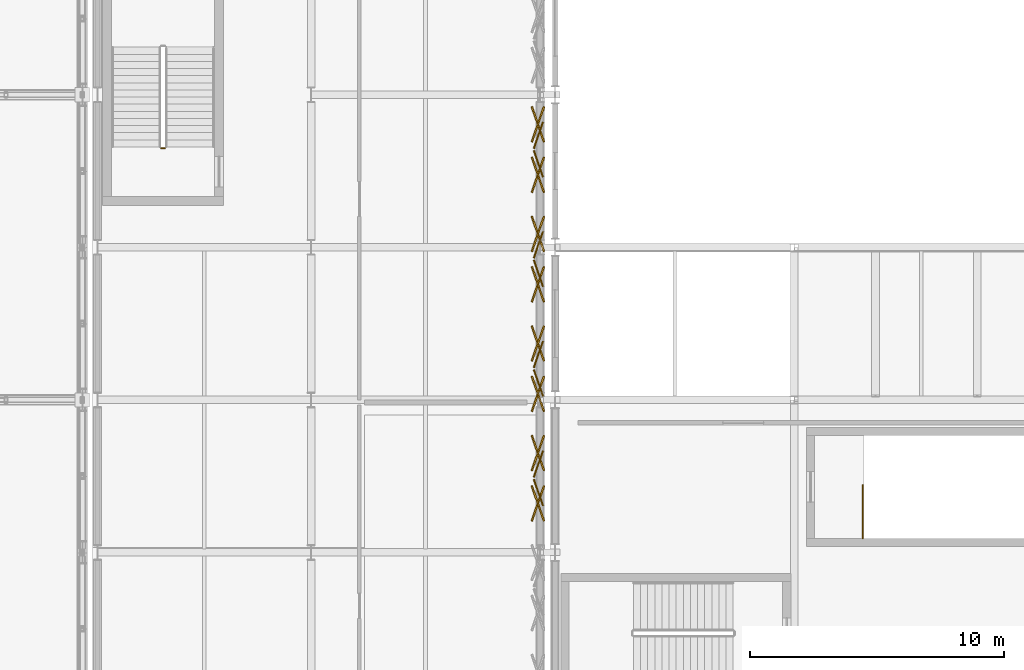
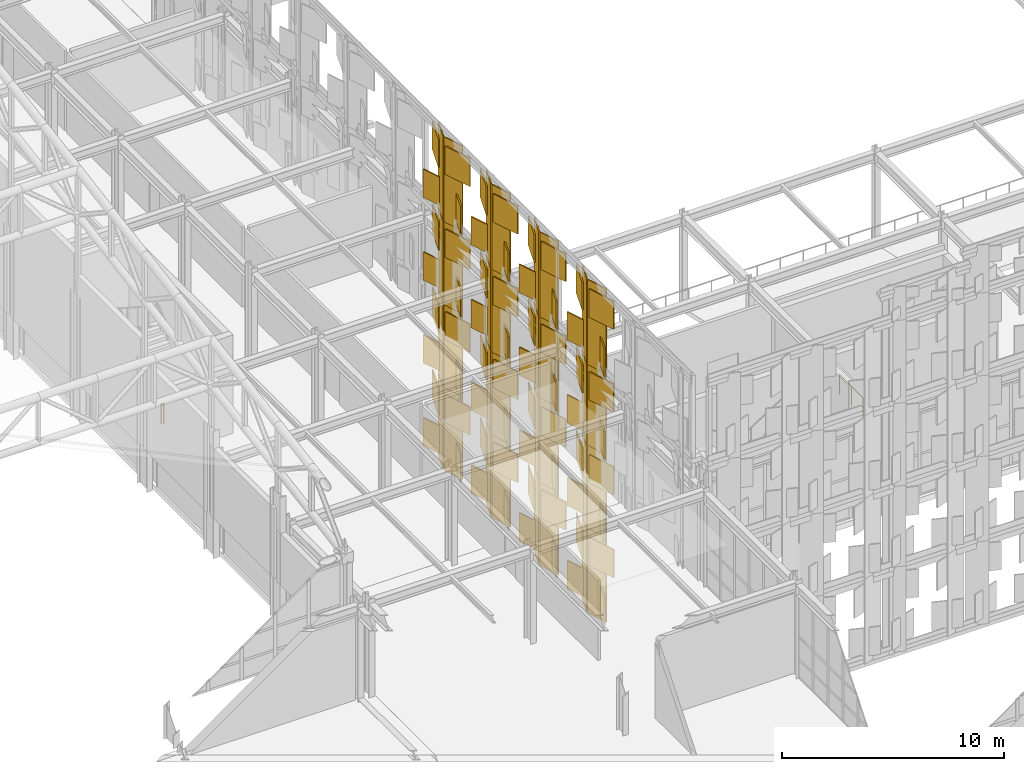
# One storey, part 230 of 239: 96 coverings, 2 railings.
"""IFC4 building model written with IfcOpenShell, lengths in metres."""

from ifc_helpers import new_model, si_unit, direction, frame, origin, origin_2d, place, context, subcontext, project, spatial, rectangle, circle, extrude, material, layer, layer_set, type_object, element, save


model = new_model("IFC4")

# Units and contexts
model_context = context("Model", 3, precision=1e-05, world=origin(), true_north=direction((0.0, 1.0)))
body_context = subcontext(model_context, "Body", "Model", "MODEL_VIEW")
ifc_project = project(units=[si_unit("LENGTHUNIT", "METRE"), si_unit("AREAUNIT", "SQUARE_METRE"), si_unit("VOLUMEUNIT", "CUBIC_METRE"), si_unit("PLANEANGLEUNIT", "RADIAN"), si_unit("MASSUNIT", "GRAM", prefix="KILO")], contexts=[model_context])

# Site, building, storey
site_placement = place(None, origin())
site = spatial("IfcSite", under=ifc_project, at=site_placement, CompositionType="ELEMENT")
building_placement = place(site_placement, origin())
building = spatial("IfcBuilding", under=site, at=building_placement, Name="Kaldris Quays Convention Centre", CompositionType="ELEMENT")
storey_placement = place(building_placement, frame((0.0, 0.0, 11.39990234375)))
storey = spatial("IfcBuildingStorey", under=building, at=storey_placement, Name="L02", CompositionType="ELEMENT", Elevation=11.39990234375)

# Railings
ifc_material_1 = material(Name="Steel S355J2", Category="steel")
railing_type = type_object("IfcRailingType", Name="INTERIOR GUARDRAIL GR01", PredefinedType="GUARDRAIL", material=ifc_material_1)
railing_1_placement = place(storey_placement, frame((176.699951171875, 62.550048828125, 0.0)))
element("IfcRailing", 1, at=railing_1_placement, inside=storey, type_object=railing_type, Name="L02 ST10 Top Well Guardrail 1", PredefinedType="GUARDRAIL", context=body_context, shape_type="SweptSolid", body=[
    extrude(circle(Radius=0.02392578125, at=origin_2d()), frame((0.0, 0.0, 1.076171875), z_axis=(0.0, 1.0, 0.0), x_axis=(-1.0, 0.0, 0.0)), (0.0, 0.0, 1.0), 2.099853515625),
    extrude(circle(Radius=0.02099609375, at=origin_2d()), origin(), (0.0, 0.0, 1.0), 1.052001953125),
    extrude(circle(Radius=0.02099609375, at=origin_2d()), frame((0.0, 1.0498046875, 0.0)), (0.0, 0.0, 1.0), 1.052001953125),
    extrude(circle(Radius=0.02099609375, at=origin_2d()), frame((0.0, 2.099853515625, 0.0)), (0.0, 0.0, 1.0), 1.052001953125),
])
railing_2_placement = place(storey_placement, frame((149.25, 77.89990234375, 0.0)))
element("IfcRailing", 2, at=railing_2_placement, inside=storey, type_object=railing_type, Name="L02 ST14 Stair Guardrail 4", PredefinedType="GUARDRAIL", context=body_context, shape_type="SweptSolid", body=[
    extrude(circle(Radius=0.02392578125, at=origin_2d()), frame((0.0, 0.0, 1.076171875), z_axis=(-1.0, 0.0, 0.0), x_axis=(0.0, -1.0, 0.0)), (0.0, 0.0, 1.0), 0.14990234375),
    extrude(circle(Radius=0.02099609375, at=origin_2d()), origin(), (0.0, 0.0, 1.0), 1.052001953125),
    extrude(circle(Radius=0.02099609375, at=origin_2d()), frame((-0.14990234375, 0.0, 0.0)), (0.0, 0.0, 1.0), 1.052001953125),
])

# Coverings
ifc_material_2 = material(Name="Alabaster white star-pierced anodized aluminium panel", Category="aluminium")
ifc_layer = layer(ifc_material_2, 0.044921875)
ifc_layer_set = layer_set([ifc_layer], Name="Alabaster white star-pierced anodized aluminium panel")
covering_type = type_object("IfcCoveringType", Name="STAR PIERCED WHITE FOLDED SCREEN CL01", PredefinedType="CLADDING", material=ifc_layer_set)
covering_1_placement = place(storey_placement, frame((163.93994140625, 64.35791015625, -7.60986328125), z_axis=(0.0, 0.0, 1.0), x_axis=(-0.325568154457, 0.945518575599, 0.0)))
element("IfcCovering", 3, at=covering_1_placement, inside=storey, type_object=covering_type, Name="V2W Folded White Screen Stile 2166", PredefinedType="CLADDING", context=body_context, shape_type="SweptSolid", body=[
    extrude(rectangle(XDim=1.093994140625, YDim=0.054931640625, at=origin_2d()), origin(), (0.0, 0.0, 1.0), 4.669921875),
])
for number, where, z_axis, x_axis, name in (
    (4, (163.919921875, 63.927001953125, -7.27685546875), (0.0, 0.0, 1.0), (0.325568154457, 0.945518575599, 0.0), "V2W Carved Star Corner Facet 2169"),
    (5, (163.919921875, 63.927001953125, -4.81982421875), (0.0, 0.0, 1.0), (-0.325568154457, 0.945518575599, 0.0), "V2W Carved Star Corner Facet 2170"),
):
    element("IfcCovering", number, at=place(storey_placement, frame(where, z_axis=z_axis, x_axis=x_axis)), inside=storey, type_object=covering_type, Name=name, PredefinedType="CLADDING", context=body_context, shape_type="SweptSolid", body=[
        extrude(rectangle(XDim=1.465087890625, YDim=0.06494140625, at=origin_2d()), origin(), (0.0, 0.0, 1.0), 1.547119140625),
    ])
covering_2_placement = place(storey_placement, frame((163.93994140625, 64.35791015625, -3.059814453125), z_axis=(0.0, 0.0, 1.0), x_axis=(-0.325568154457, 0.945518575599, 0.0)))
element("IfcCovering", 6, at=covering_2_placement, inside=storey, type_object=covering_type, Name="V2W Folded White Screen Stile 2172", PredefinedType="CLADDING", context=body_context, shape_type="SweptSolid", body=[
    extrude(rectangle(XDim=1.093994140625, YDim=0.054931640625, at=origin_2d()), origin(), (0.0, 0.0, 1.0), 4.669921875),
])
for number, where, z_axis, x_axis, name in (
    (7, (163.919921875, 63.927001953125, -2.72705078125), (0.0, 0.0, 1.0), (0.325568154457, 0.945518575599, 0.0), "V2W Carved Star Corner Facet 2175"),
    (8, (163.919921875, 63.927001953125, -0.27001953125), (0.0, 0.0, 1.0), (-0.325568154457, 0.945518575599, 0.0), "V2W Carved Star Corner Facet 2176"),
):
    element("IfcCovering", number, at=place(storey_placement, frame(where, z_axis=z_axis, x_axis=x_axis)), inside=storey, type_object=covering_type, Name=name, PredefinedType="CLADDING", context=body_context, shape_type="SweptSolid", body=[
        extrude(rectangle(XDim=1.465087890625, YDim=0.06494140625, at=origin_2d()), origin(), (0.0, 0.0, 1.0), 1.547119140625),
    ])
covering_3_placement = place(storey_placement, frame((163.93994140625, 64.35791015625, 1.490234375), z_axis=(0.0, 0.0, 1.0), x_axis=(-0.325568154457, 0.945518575599, 0.0)))
element("IfcCovering", 9, at=covering_3_placement, inside=storey, type_object=covering_type, Name="V2W Folded White Screen Stile 2178", PredefinedType="CLADDING", context=body_context, shape_type="SweptSolid", body=[
    extrude(rectangle(XDim=1.093994140625, YDim=0.054931640625, at=origin_2d()), origin(), (0.0, 0.0, 1.0), 4.669921875),
])
for number, where, z_axis, x_axis, name in (
    (10, (163.919921875, 63.927001953125, 1.8232421875), (0.0, 0.0, 1.0), (0.325568154457, 0.945518575599, 0.0), "V2W Carved Star Corner Facet 2181"),
    (11, (163.919921875, 63.927001953125, 4.2802734375), (0.0, 0.0, 1.0), (-0.325568154457, 0.945518575599, 0.0), "V2W Carved Star Corner Facet 2182"),
):
    element("IfcCovering", number, at=place(storey_placement, frame(where, z_axis=z_axis, x_axis=x_axis)), inside=storey, type_object=covering_type, Name=name, PredefinedType="CLADDING", context=body_context, shape_type="SweptSolid", body=[
        extrude(rectangle(XDim=1.465087890625, YDim=0.06494140625, at=origin_2d()), origin(), (0.0, 0.0, 1.0), 1.547119140625),
    ])
covering_4_placement = place(storey_placement, frame((163.93994140625, 64.35791015625, 6.0400390625), z_axis=(0.0, 0.0, 1.0), x_axis=(-0.325568154457, 0.945518575599, 0.0)))
element("IfcCovering", 12, at=covering_4_placement, inside=storey, type_object=covering_type, Name="V2W Folded White Screen Stile 2184", PredefinedType="CLADDING", context=body_context, shape_type="SweptSolid", body=[
    extrude(rectangle(XDim=1.093994140625, YDim=0.054931640625, at=origin_2d()), origin(), (0.0, 0.0, 1.0), 4.669921875),
])
for number, where, z_axis, x_axis, name in (
    (13, (163.919921875, 63.927001953125, 6.373046875), (0.0, 0.0, 1.0), (0.325568154457, 0.945518575599, 0.0), "V2W Carved Star Corner Facet 2187"),
    (14, (163.919921875, 63.927001953125, 8.830078125), (0.0, 0.0, 1.0), (-0.325568154457, 0.945518575599, 0.0), "V2W Carved Star Corner Facet 2188"),
):
    element("IfcCovering", number, at=place(storey_placement, frame(where, z_axis=z_axis, x_axis=x_axis)), inside=storey, type_object=covering_type, Name=name, PredefinedType="CLADDING", context=body_context, shape_type="SweptSolid", body=[
        extrude(rectangle(XDim=1.465087890625, YDim=0.06494140625, at=origin_2d()), origin(), (0.0, 0.0, 1.0), 1.547119140625),
    ])
for number, where, z_axis, x_axis, name in (
    (15, (163.93994140625, 65.478515625, -7.60986328125), (0.0, 0.0, 1.0), (0.325568154457, 0.945518575599, 0.0), "V2W Folded White Screen Stile 2189"),
    (16, (163.93994140625, 68.6669921875, -7.60986328125), (0.0, 0.0, 1.0), (-0.325568154457, 0.945518575599, 0.0), "V2W Folded White Screen Stile 2190"),
):
    element("IfcCovering", number, at=place(storey_placement, frame(where, z_axis=z_axis, x_axis=x_axis)), inside=storey, type_object=covering_type, Name=name, PredefinedType="CLADDING", context=body_context, shape_type="SweptSolid", body=[
        extrude(rectangle(XDim=1.093994140625, YDim=0.054931640625, at=origin_2d()), origin(), (0.0, 0.0, 1.0), 4.669921875),
    ])
for number, where, z_axis, x_axis, name in (
    (17, (163.919921875, 65.9091796875, -7.27685546875), (0.0, 0.0, 1.0), (-0.325568154457, 0.945518575599, 0.0), "V2W Carved Star Corner Facet 2191"),
    (18, (163.919921875, 65.9091796875, -4.81982421875), (0.0, 0.0, 1.0), (0.325568154457, 0.945518575599, 0.0), "V2W Carved Star Corner Facet 2192"),
    (19, (163.919921875, 68.236083984375, -7.27685546875), (0.0, 0.0, 1.0), (0.325568154457, 0.945518575599, 0.0), "V2W Carved Star Corner Facet 2193"),
    (20, (163.919921875, 68.236083984375, -4.81982421875), (0.0, 0.0, 1.0), (-0.325568154457, 0.945518575599, 0.0), "V2W Carved Star Corner Facet 2194"),
):
    element("IfcCovering", number, at=place(storey_placement, frame(where, z_axis=z_axis, x_axis=x_axis)), inside=storey, type_object=covering_type, Name=name, PredefinedType="CLADDING", context=body_context, shape_type="SweptSolid", body=[
        extrude(rectangle(XDim=1.465087890625, YDim=0.06494140625, at=origin_2d()), origin(), (0.0, 0.0, 1.0), 1.547119140625),
    ])
for number, where, z_axis, x_axis, name in (
    (21, (163.93994140625, 65.478515625, -3.059814453125), (0.0, 0.0, 1.0), (0.325568154457, 0.945518575599, 0.0), "V2W Folded White Screen Stile 2195"),
    (22, (163.93994140625, 68.6669921875, -3.059814453125), (0.0, 0.0, 1.0), (-0.325568154457, 0.945518575599, 0.0), "V2W Folded White Screen Stile 2196"),
):
    element("IfcCovering", number, at=place(storey_placement, frame(where, z_axis=z_axis, x_axis=x_axis)), inside=storey, type_object=covering_type, Name=name, PredefinedType="CLADDING", context=body_context, shape_type="SweptSolid", body=[
        extrude(rectangle(XDim=1.093994140625, YDim=0.054931640625, at=origin_2d()), origin(), (0.0, 0.0, 1.0), 4.669921875),
    ])
for number, where, z_axis, x_axis, name in (
    (23, (163.919921875, 65.9091796875, -2.72705078125), (0.0, 0.0, 1.0), (-0.325568154457, 0.945518575599, 0.0), "V2W Carved Star Corner Facet 2197"),
    (24, (163.919921875, 65.9091796875, -0.27001953125), (0.0, 0.0, 1.0), (0.325568154457, 0.945518575599, 0.0), "V2W Carved Star Corner Facet 2198"),
    (25, (163.919921875, 68.236083984375, -2.72705078125), (0.0, 0.0, 1.0), (0.325568154457, 0.945518575599, 0.0), "V2W Carved Star Corner Facet 2199"),
    (26, (163.919921875, 68.236083984375, -0.27001953125), (0.0, 0.0, 1.0), (-0.325568154457, 0.945518575599, 0.0), "V2W Carved Star Corner Facet 2200"),
):
    element("IfcCovering", number, at=place(storey_placement, frame(where, z_axis=z_axis, x_axis=x_axis)), inside=storey, type_object=covering_type, Name=name, PredefinedType="CLADDING", context=body_context, shape_type="SweptSolid", body=[
        extrude(rectangle(XDim=1.465087890625, YDim=0.06494140625, at=origin_2d()), origin(), (0.0, 0.0, 1.0), 1.547119140625),
    ])
for number, where, z_axis, x_axis, name in (
    (27, (163.93994140625, 65.478515625, 1.490234375), (0.0, 0.0, 1.0), (0.325568154457, 0.945518575599, 0.0), "V2W Folded White Screen Stile 2201"),
    (28, (163.93994140625, 68.6669921875, 1.490234375), (0.0, 0.0, 1.0), (-0.325568154457, 0.945518575599, 0.0), "V2W Folded White Screen Stile 2202"),
):
    element("IfcCovering", number, at=place(storey_placement, frame(where, z_axis=z_axis, x_axis=x_axis)), inside=storey, type_object=covering_type, Name=name, PredefinedType="CLADDING", context=body_context, shape_type="SweptSolid", body=[
        extrude(rectangle(XDim=1.093994140625, YDim=0.054931640625, at=origin_2d()), origin(), (0.0, 0.0, 1.0), 4.669921875),
    ])
for number, where, z_axis, x_axis, name in (
    (29, (163.919921875, 65.9091796875, 1.8232421875), (0.0, 0.0, 1.0), (-0.325568154457, 0.945518575599, 0.0), "V2W Carved Star Corner Facet 2203"),
    (30, (163.919921875, 65.9091796875, 4.2802734375), (0.0, 0.0, 1.0), (0.325568154457, 0.945518575599, 0.0), "V2W Carved Star Corner Facet 2204"),
    (31, (163.919921875, 68.236083984375, 1.8232421875), (0.0, 0.0, 1.0), (0.325568154457, 0.945518575599, 0.0), "V2W Carved Star Corner Facet 2205"),
    (32, (163.919921875, 68.236083984375, 4.2802734375), (0.0, 0.0, 1.0), (-0.325568154457, 0.945518575599, 0.0), "V2W Carved Star Corner Facet 2206"),
):
    element("IfcCovering", number, at=place(storey_placement, frame(where, z_axis=z_axis, x_axis=x_axis)), inside=storey, type_object=covering_type, Name=name, PredefinedType="CLADDING", context=body_context, shape_type="SweptSolid", body=[
        extrude(rectangle(XDim=1.465087890625, YDim=0.06494140625, at=origin_2d()), origin(), (0.0, 0.0, 1.0), 1.547119140625),
    ])
for number, where, z_axis, x_axis, name in (
    (33, (163.93994140625, 65.478515625, 6.0400390625), (0.0, 0.0, 1.0), (0.325568154457, 0.945518575599, 0.0), "V2W Folded White Screen Stile 2207"),
    (34, (163.93994140625, 68.6669921875, 6.0400390625), (0.0, 0.0, 1.0), (-0.325568154457, 0.945518575599, 0.0), "V2W Folded White Screen Stile 2208"),
):
    element("IfcCovering", number, at=place(storey_placement, frame(where, z_axis=z_axis, x_axis=x_axis)), inside=storey, type_object=covering_type, Name=name, PredefinedType="CLADDING", context=body_context, shape_type="SweptSolid", body=[
        extrude(rectangle(XDim=1.093994140625, YDim=0.054931640625, at=origin_2d()), origin(), (0.0, 0.0, 1.0), 4.669921875),
    ])
for number, where, z_axis, x_axis, name in (
    (35, (163.919921875, 65.9091796875, 6.373046875), (0.0, 0.0, 1.0), (-0.325568154457, 0.945518575599, 0.0), "V2W Carved Star Corner Facet 2209"),
    (36, (163.919921875, 65.9091796875, 8.830078125), (0.0, 0.0, 1.0), (0.325568154457, 0.945518575599, 0.0), "V2W Carved Star Corner Facet 2210"),
    (37, (163.919921875, 68.236083984375, 6.373046875), (0.0, 0.0, 1.0), (0.325568154457, 0.945518575599, 0.0), "V2W Carved Star Corner Facet 2211"),
    (38, (163.919921875, 68.236083984375, 8.830078125), (0.0, 0.0, 1.0), (-0.325568154457, 0.945518575599, 0.0), "V2W Carved Star Corner Facet 2212"),
):
    element("IfcCovering", number, at=place(storey_placement, frame(where, z_axis=z_axis, x_axis=x_axis)), inside=storey, type_object=covering_type, Name=name, PredefinedType="CLADDING", context=body_context, shape_type="SweptSolid", body=[
        extrude(rectangle(XDim=1.465087890625, YDim=0.06494140625, at=origin_2d()), origin(), (0.0, 0.0, 1.0), 1.547119140625),
    ])
for number, where, z_axis, x_axis, name in (
    (39, (163.93994140625, 69.78759765625, -7.60986328125), (0.0, 0.0, 1.0), (0.325568154457, 0.945518575599, 0.0), "V2W Folded White Screen Stile 2213"),
    (40, (163.93994140625, 72.976318359375, -7.60986328125), (0.0, 0.0, 1.0), (-0.325568154457, 0.945518575599, 0.0), "V2W Folded White Screen Stile 2214"),
):
    element("IfcCovering", number, at=place(storey_placement, frame(where, z_axis=z_axis, x_axis=x_axis)), inside=storey, type_object=covering_type, Name=name, PredefinedType="CLADDING", context=body_context, shape_type="SweptSolid", body=[
        extrude(rectangle(XDim=1.093994140625, YDim=0.054931640625, at=origin_2d()), origin(), (0.0, 0.0, 1.0), 4.669921875),
    ])
for number, where, z_axis, x_axis, name in (
    (41, (163.919921875, 70.218505859375, -7.27685546875), (0.0, 0.0, 1.0), (-0.325568154457, 0.945518575599, 0.0), "V2W Carved Star Corner Facet 2215"),
    (42, (163.919921875, 70.218505859375, -4.81982421875), (0.0, 0.0, 1.0), (0.325568154457, 0.945518575599, 0.0), "V2W Carved Star Corner Facet 2216"),
    (43, (163.919921875, 72.54541015625, -7.27685546875), (0.0, 0.0, 1.0), (0.325568154457, 0.945518575599, 0.0), "V2W Carved Star Corner Facet 2217"),
    (44, (163.919921875, 72.54541015625, -4.81982421875), (0.0, 0.0, 1.0), (-0.325568154457, 0.945518575599, 0.0), "V2W Carved Star Corner Facet 2218"),
):
    element("IfcCovering", number, at=place(storey_placement, frame(where, z_axis=z_axis, x_axis=x_axis)), inside=storey, type_object=covering_type, Name=name, PredefinedType="CLADDING", context=body_context, shape_type="SweptSolid", body=[
        extrude(rectangle(XDim=1.465087890625, YDim=0.06494140625, at=origin_2d()), origin(), (0.0, 0.0, 1.0), 1.547119140625),
    ])
for number, where, z_axis, x_axis, name in (
    (45, (163.93994140625, 69.78759765625, -3.059814453125), (0.0, 0.0, 1.0), (0.325568154457, 0.945518575599, 0.0), "V2W Folded White Screen Stile 2219"),
    (46, (163.93994140625, 72.976318359375, -3.059814453125), (0.0, 0.0, 1.0), (-0.325568154457, 0.945518575599, 0.0), "V2W Folded White Screen Stile 2220"),
):
    element("IfcCovering", number, at=place(storey_placement, frame(where, z_axis=z_axis, x_axis=x_axis)), inside=storey, type_object=covering_type, Name=name, PredefinedType="CLADDING", context=body_context, shape_type="SweptSolid", body=[
        extrude(rectangle(XDim=1.093994140625, YDim=0.054931640625, at=origin_2d()), origin(), (0.0, 0.0, 1.0), 4.669921875),
    ])
for number, where, z_axis, x_axis, name in (
    (47, (163.919921875, 70.218505859375, -2.72705078125), (0.0, 0.0, 1.0), (-0.325568154457, 0.945518575599, 0.0), "V2W Carved Star Corner Facet 2221"),
    (48, (163.919921875, 70.218505859375, -0.27001953125), (0.0, 0.0, 1.0), (0.325568154457, 0.945518575599, 0.0), "V2W Carved Star Corner Facet 2222"),
    (49, (163.919921875, 72.54541015625, -2.72705078125), (0.0, 0.0, 1.0), (0.325568154457, 0.945518575599, 0.0), "V2W Carved Star Corner Facet 2223"),
    (50, (163.919921875, 72.54541015625, -0.27001953125), (0.0, 0.0, 1.0), (-0.325568154457, 0.945518575599, 0.0), "V2W Carved Star Corner Facet 2224"),
):
    element("IfcCovering", number, at=place(storey_placement, frame(where, z_axis=z_axis, x_axis=x_axis)), inside=storey, type_object=covering_type, Name=name, PredefinedType="CLADDING", context=body_context, shape_type="SweptSolid", body=[
        extrude(rectangle(XDim=1.465087890625, YDim=0.06494140625, at=origin_2d()), origin(), (0.0, 0.0, 1.0), 1.547119140625),
    ])
for number, where, z_axis, x_axis, name in (
    (51, (163.93994140625, 69.78759765625, 1.490234375), (0.0, 0.0, 1.0), (0.325568154457, 0.945518575599, 0.0), "V2W Folded White Screen Stile 2225"),
    (52, (163.93994140625, 72.976318359375, 1.490234375), (0.0, 0.0, 1.0), (-0.325568154457, 0.945518575599, 0.0), "V2W Folded White Screen Stile 2226"),
):
    element("IfcCovering", number, at=place(storey_placement, frame(where, z_axis=z_axis, x_axis=x_axis)), inside=storey, type_object=covering_type, Name=name, PredefinedType="CLADDING", context=body_context, shape_type="SweptSolid", body=[
        extrude(rectangle(XDim=1.093994140625, YDim=0.054931640625, at=origin_2d()), origin(), (0.0, 0.0, 1.0), 4.669921875),
    ])
for number, where, z_axis, x_axis, name in (
    (53, (163.919921875, 70.218505859375, 1.8232421875), (0.0, 0.0, 1.0), (-0.325568154457, 0.945518575599, 0.0), "V2W Carved Star Corner Facet 2227"),
    (54, (163.919921875, 70.218505859375, 4.2802734375), (0.0, 0.0, 1.0), (0.325568154457, 0.945518575599, 0.0), "V2W Carved Star Corner Facet 2228"),
    (55, (163.919921875, 72.54541015625, 1.8232421875), (0.0, 0.0, 1.0), (0.325568154457, 0.945518575599, 0.0), "V2W Carved Star Corner Facet 2229"),
    (56, (163.919921875, 72.54541015625, 4.2802734375), (0.0, 0.0, 1.0), (-0.325568154457, 0.945518575599, 0.0), "V2W Carved Star Corner Facet 2230"),
):
    element("IfcCovering", number, at=place(storey_placement, frame(where, z_axis=z_axis, x_axis=x_axis)), inside=storey, type_object=covering_type, Name=name, PredefinedType="CLADDING", context=body_context, shape_type="SweptSolid", body=[
        extrude(rectangle(XDim=1.465087890625, YDim=0.06494140625, at=origin_2d()), origin(), (0.0, 0.0, 1.0), 1.547119140625),
    ])
for number, where, z_axis, x_axis, name in (
    (57, (163.93994140625, 69.78759765625, 6.0400390625), (0.0, 0.0, 1.0), (0.325568154457, 0.945518575599, 0.0), "V2W Folded White Screen Stile 2231"),
    (58, (163.93994140625, 72.976318359375, 6.0400390625), (0.0, 0.0, 1.0), (-0.325568154457, 0.945518575599, 0.0), "V2W Folded White Screen Stile 2232"),
):
    element("IfcCovering", number, at=place(storey_placement, frame(where, z_axis=z_axis, x_axis=x_axis)), inside=storey, type_object=covering_type, Name=name, PredefinedType="CLADDING", context=body_context, shape_type="SweptSolid", body=[
        extrude(rectangle(XDim=1.093994140625, YDim=0.054931640625, at=origin_2d()), origin(), (0.0, 0.0, 1.0), 4.669921875),
    ])
for number, where, z_axis, x_axis, name in (
    (59, (163.919921875, 70.218505859375, 6.373046875), (0.0, 0.0, 1.0), (-0.325568154457, 0.945518575599, 0.0), "V2W Carved Star Corner Facet 2233"),
    (60, (163.919921875, 70.218505859375, 8.830078125), (0.0, 0.0, 1.0), (0.325568154457, 0.945518575599, 0.0), "V2W Carved Star Corner Facet 2234"),
    (61, (163.919921875, 72.54541015625, 6.373046875), (0.0, 0.0, 1.0), (0.325568154457, 0.945518575599, 0.0), "V2W Carved Star Corner Facet 2235"),
    (62, (163.919921875, 72.54541015625, 8.830078125), (0.0, 0.0, 1.0), (-0.325568154457, 0.945518575599, 0.0), "V2W Carved Star Corner Facet 2236"),
):
    element("IfcCovering", number, at=place(storey_placement, frame(where, z_axis=z_axis, x_axis=x_axis)), inside=storey, type_object=covering_type, Name=name, PredefinedType="CLADDING", context=body_context, shape_type="SweptSolid", body=[
        extrude(rectangle(XDim=1.465087890625, YDim=0.06494140625, at=origin_2d()), origin(), (0.0, 0.0, 1.0), 1.547119140625),
    ])
for number, where, z_axis, x_axis, name in (
    (63, (163.93994140625, 74.096435546875, -7.60986328125), (0.0, 0.0, 1.0), (0.325568154457, 0.945518575599, 0.0), "V2W Folded White Screen Stile 2237"),
    (64, (163.93994140625, 77.285400390625, -7.60986328125), (0.0, 0.0, 1.0), (-0.325568154457, 0.945518575599, 0.0), "V2W Folded White Screen Stile 2238"),
):
    element("IfcCovering", number, at=place(storey_placement, frame(where, z_axis=z_axis, x_axis=x_axis)), inside=storey, type_object=covering_type, Name=name, PredefinedType="CLADDING", context=body_context, shape_type="SweptSolid", body=[
        extrude(rectangle(XDim=1.093994140625, YDim=0.054931640625, at=origin_2d()), origin(), (0.0, 0.0, 1.0), 4.669921875),
    ])
for number, where, z_axis, x_axis, name in (
    (65, (163.919921875, 74.527587890625, -7.27685546875), (0.0, 0.0, 1.0), (-0.325568154457, 0.945518575599, 0.0), "V2W Carved Star Corner Facet 2239"),
    (66, (163.919921875, 74.527587890625, -4.81982421875), (0.0, 0.0, 1.0), (0.325568154457, 0.945518575599, 0.0), "V2W Carved Star Corner Facet 2240"),
    (67, (163.919921875, 76.8544921875, -7.27685546875), (0.0, 0.0, 1.0), (0.325568154457, 0.945518575599, 0.0), "V2W Carved Star Corner Facet 2241"),
    (68, (163.919921875, 76.8544921875, -4.81982421875), (0.0, 0.0, 1.0), (-0.325568154457, 0.945518575599, 0.0), "V2W Carved Star Corner Facet 2242"),
):
    element("IfcCovering", number, at=place(storey_placement, frame(where, z_axis=z_axis, x_axis=x_axis)), inside=storey, type_object=covering_type, Name=name, PredefinedType="CLADDING", context=body_context, shape_type="SweptSolid", body=[
        extrude(rectangle(XDim=1.465087890625, YDim=0.06494140625, at=origin_2d()), origin(), (0.0, 0.0, 1.0), 1.547119140625),
    ])
for number, where, z_axis, x_axis, name in (
    (69, (163.93994140625, 74.096435546875, -3.059814453125), (0.0, 0.0, 1.0), (0.325568154457, 0.945518575599, 0.0), "V2W Folded White Screen Stile 2243"),
    (70, (163.93994140625, 77.285400390625, -3.059814453125), (0.0, 0.0, 1.0), (-0.325568154457, 0.945518575599, 0.0), "V2W Folded White Screen Stile 2244"),
):
    element("IfcCovering", number, at=place(storey_placement, frame(where, z_axis=z_axis, x_axis=x_axis)), inside=storey, type_object=covering_type, Name=name, PredefinedType="CLADDING", context=body_context, shape_type="SweptSolid", body=[
        extrude(rectangle(XDim=1.093994140625, YDim=0.054931640625, at=origin_2d()), origin(), (0.0, 0.0, 1.0), 4.669921875),
    ])
for number, where, z_axis, x_axis, name in (
    (71, (163.919921875, 74.527587890625, -2.72705078125), (0.0, 0.0, 1.0), (-0.325568154457, 0.945518575599, 0.0), "V2W Carved Star Corner Facet 2245"),
    (72, (163.919921875, 74.527587890625, -0.27001953125), (0.0, 0.0, 1.0), (0.325568154457, 0.945518575599, 0.0), "V2W Carved Star Corner Facet 2246"),
    (73, (163.919921875, 76.8544921875, -2.72705078125), (0.0, 0.0, 1.0), (0.325568154457, 0.945518575599, 0.0), "V2W Carved Star Corner Facet 2247"),
    (74, (163.919921875, 76.8544921875, -0.27001953125), (0.0, 0.0, 1.0), (-0.325568154457, 0.945518575599, 0.0), "V2W Carved Star Corner Facet 2248"),
):
    element("IfcCovering", number, at=place(storey_placement, frame(where, z_axis=z_axis, x_axis=x_axis)), inside=storey, type_object=covering_type, Name=name, PredefinedType="CLADDING", context=body_context, shape_type="SweptSolid", body=[
        extrude(rectangle(XDim=1.465087890625, YDim=0.06494140625, at=origin_2d()), origin(), (0.0, 0.0, 1.0), 1.547119140625),
    ])
for number, where, z_axis, x_axis, name in (
    (75, (163.93994140625, 74.096435546875, 1.490234375), (0.0, 0.0, 1.0), (0.325568154457, 0.945518575599, 0.0), "V2W Folded White Screen Stile 2249"),
    (76, (163.93994140625, 77.285400390625, 1.490234375), (0.0, 0.0, 1.0), (-0.325568154457, 0.945518575599, 0.0), "V2W Folded White Screen Stile 2250"),
):
    element("IfcCovering", number, at=place(storey_placement, frame(where, z_axis=z_axis, x_axis=x_axis)), inside=storey, type_object=covering_type, Name=name, PredefinedType="CLADDING", context=body_context, shape_type="SweptSolid", body=[
        extrude(rectangle(XDim=1.093994140625, YDim=0.054931640625, at=origin_2d()), origin(), (0.0, 0.0, 1.0), 4.669921875),
    ])
for number, where, z_axis, x_axis, name in (
    (77, (163.919921875, 74.527587890625, 1.8232421875), (0.0, 0.0, 1.0), (-0.325568154457, 0.945518575599, 0.0), "V2W Carved Star Corner Facet 2251"),
    (78, (163.919921875, 74.527587890625, 4.2802734375), (0.0, 0.0, 1.0), (0.325568154457, 0.945518575599, 0.0), "V2W Carved Star Corner Facet 2252"),
    (79, (163.919921875, 76.8544921875, 1.8232421875), (0.0, 0.0, 1.0), (0.325568154457, 0.945518575599, 0.0), "V2W Carved Star Corner Facet 2253"),
    (80, (163.919921875, 76.8544921875, 4.2802734375), (0.0, 0.0, 1.0), (-0.325568154457, 0.945518575599, 0.0), "V2W Carved Star Corner Facet 2254"),
):
    element("IfcCovering", number, at=place(storey_placement, frame(where, z_axis=z_axis, x_axis=x_axis)), inside=storey, type_object=covering_type, Name=name, PredefinedType="CLADDING", context=body_context, shape_type="SweptSolid", body=[
        extrude(rectangle(XDim=1.465087890625, YDim=0.06494140625, at=origin_2d()), origin(), (0.0, 0.0, 1.0), 1.547119140625),
    ])
for number, where, z_axis, x_axis, name in (
    (81, (163.93994140625, 74.096435546875, 6.0400390625), (0.0, 0.0, 1.0), (0.325568154457, 0.945518575599, 0.0), "V2W Folded White Screen Stile 2255"),
    (82, (163.93994140625, 77.285400390625, 6.0400390625), (0.0, 0.0, 1.0), (-0.325568154457, 0.945518575599, 0.0), "V2W Folded White Screen Stile 2256"),
):
    element("IfcCovering", number, at=place(storey_placement, frame(where, z_axis=z_axis, x_axis=x_axis)), inside=storey, type_object=covering_type, Name=name, PredefinedType="CLADDING", context=body_context, shape_type="SweptSolid", body=[
        extrude(rectangle(XDim=1.093994140625, YDim=0.054931640625, at=origin_2d()), origin(), (0.0, 0.0, 1.0), 4.669921875),
    ])
for number, where, z_axis, x_axis, name in (
    (83, (163.919921875, 74.527587890625, 6.373046875), (0.0, 0.0, 1.0), (-0.325568154457, 0.945518575599, 0.0), "V2W Carved Star Corner Facet 2257"),
    (84, (163.919921875, 74.527587890625, 8.830078125), (0.0, 0.0, 1.0), (0.325568154457, 0.945518575599, 0.0), "V2W Carved Star Corner Facet 2258"),
    (85, (163.919921875, 76.8544921875, 6.373046875), (0.0, 0.0, 1.0), (0.325568154457, 0.945518575599, 0.0), "V2W Carved Star Corner Facet 2259"),
    (86, (163.919921875, 76.8544921875, 8.830078125), (0.0, 0.0, 1.0), (-0.325568154457, 0.945518575599, 0.0), "V2W Carved Star Corner Facet 2260"),
):
    element("IfcCovering", number, at=place(storey_placement, frame(where, z_axis=z_axis, x_axis=x_axis)), inside=storey, type_object=covering_type, Name=name, PredefinedType="CLADDING", context=body_context, shape_type="SweptSolid", body=[
        extrude(rectangle(XDim=1.465087890625, YDim=0.06494140625, at=origin_2d()), origin(), (0.0, 0.0, 1.0), 1.547119140625),
    ])
covering_5_placement = place(storey_placement, frame((163.93994140625, 78.405517578125, -7.60986328125), z_axis=(0.0, 0.0, 1.0), x_axis=(0.325568154457, 0.945518575599, 0.0)))
element("IfcCovering", 87, at=covering_5_placement, inside=storey, type_object=covering_type, Name="V2W Folded White Screen Stile 2261", PredefinedType="CLADDING", context=body_context, shape_type="SweptSolid", body=[
    extrude(rectangle(XDim=1.093994140625, YDim=0.054931640625, at=origin_2d()), origin(), (0.0, 0.0, 1.0), 4.669921875),
])
for number, where, z_axis, x_axis, name in (
    (88, (163.919921875, 78.83642578125, -7.27685546875), (0.0, 0.0, 1.0), (-0.325568154457, 0.945518575599, 0.0), "V2W Carved Star Corner Facet 2263"),
    (89, (163.919921875, 78.83642578125, -4.81982421875), (0.0, 0.0, 1.0), (0.325568154457, 0.945518575599, 0.0), "V2W Carved Star Corner Facet 2264"),
):
    element("IfcCovering", number, at=place(storey_placement, frame(where, z_axis=z_axis, x_axis=x_axis)), inside=storey, type_object=covering_type, Name=name, PredefinedType="CLADDING", context=body_context, shape_type="SweptSolid", body=[
        extrude(rectangle(XDim=1.465087890625, YDim=0.06494140625, at=origin_2d()), origin(), (0.0, 0.0, 1.0), 1.547119140625),
    ])
covering_6_placement = place(storey_placement, frame((163.93994140625, 78.405517578125, -3.059814453125), z_axis=(0.0, 0.0, 1.0), x_axis=(0.325568154457, 0.945518575599, 0.0)))
element("IfcCovering", 90, at=covering_6_placement, inside=storey, type_object=covering_type, Name="V2W Folded White Screen Stile 2267", PredefinedType="CLADDING", context=body_context, shape_type="SweptSolid", body=[
    extrude(rectangle(XDim=1.093994140625, YDim=0.054931640625, at=origin_2d()), origin(), (0.0, 0.0, 1.0), 4.669921875),
])
for number, where, z_axis, x_axis, name in (
    (91, (163.919921875, 78.83642578125, -2.72705078125), (0.0, 0.0, 1.0), (-0.325568154457, 0.945518575599, 0.0), "V2W Carved Star Corner Facet 2269"),
    (92, (163.919921875, 78.83642578125, -0.27001953125), (0.0, 0.0, 1.0), (0.325568154457, 0.945518575599, 0.0), "V2W Carved Star Corner Facet 2270"),
):
    element("IfcCovering", number, at=place(storey_placement, frame(where, z_axis=z_axis, x_axis=x_axis)), inside=storey, type_object=covering_type, Name=name, PredefinedType="CLADDING", context=body_context, shape_type="SweptSolid", body=[
        extrude(rectangle(XDim=1.465087890625, YDim=0.06494140625, at=origin_2d()), origin(), (0.0, 0.0, 1.0), 1.547119140625),
    ])
covering_7_placement = place(storey_placement, frame((163.93994140625, 78.405517578125, 1.490234375), z_axis=(0.0, 0.0, 1.0), x_axis=(0.325568154457, 0.945518575599, 0.0)))
element("IfcCovering", 93, at=covering_7_placement, inside=storey, type_object=covering_type, Name="V2W Folded White Screen Stile 2273", PredefinedType="CLADDING", context=body_context, shape_type="SweptSolid", body=[
    extrude(rectangle(XDim=1.093994140625, YDim=0.054931640625, at=origin_2d()), origin(), (0.0, 0.0, 1.0), 4.669921875),
])
for number, where, z_axis, x_axis, name in (
    (94, (163.919921875, 78.83642578125, 1.8232421875), (0.0, 0.0, 1.0), (-0.325568154457, 0.945518575599, 0.0), "V2W Carved Star Corner Facet 2275"),
    (95, (163.919921875, 78.83642578125, 4.2802734375), (0.0, 0.0, 1.0), (0.325568154457, 0.945518575599, 0.0), "V2W Carved Star Corner Facet 2276"),
):
    element("IfcCovering", number, at=place(storey_placement, frame(where, z_axis=z_axis, x_axis=x_axis)), inside=storey, type_object=covering_type, Name=name, PredefinedType="CLADDING", context=body_context, shape_type="SweptSolid", body=[
        extrude(rectangle(XDim=1.465087890625, YDim=0.06494140625, at=origin_2d()), origin(), (0.0, 0.0, 1.0), 1.547119140625),
    ])
covering_8_placement = place(storey_placement, frame((163.93994140625, 78.405517578125, 6.0400390625), z_axis=(0.0, 0.0, 1.0), x_axis=(0.325568154457, 0.945518575599, 0.0)))
element("IfcCovering", 96, at=covering_8_placement, inside=storey, type_object=covering_type, Name="V2W Folded White Screen Stile 2279", PredefinedType="CLADDING", context=body_context, shape_type="SweptSolid", body=[
    extrude(rectangle(XDim=1.093994140625, YDim=0.054931640625, at=origin_2d()), origin(), (0.0, 0.0, 1.0), 4.669921875),
])
for number, where, z_axis, x_axis, name in (
    (97, (163.919921875, 78.83642578125, 6.373046875), (0.0, 0.0, 1.0), (-0.325568154457, 0.945518575599, 0.0), "V2W Carved Star Corner Facet 2281"),
    (98, (163.919921875, 78.83642578125, 8.830078125), (0.0, 0.0, 1.0), (0.325568154457, 0.945518575599, 0.0), "V2W Carved Star Corner Facet 2282"),
):
    element("IfcCovering", number, at=place(storey_placement, frame(where, z_axis=z_axis, x_axis=x_axis)), inside=storey, type_object=covering_type, Name=name, PredefinedType="CLADDING", context=body_context, shape_type="SweptSolid", body=[
        extrude(rectangle(XDim=1.465087890625, YDim=0.06494140625, at=origin_2d()), origin(), (0.0, 0.0, 1.0), 1.547119140625),
    ])

save(model, "model.ifc")
